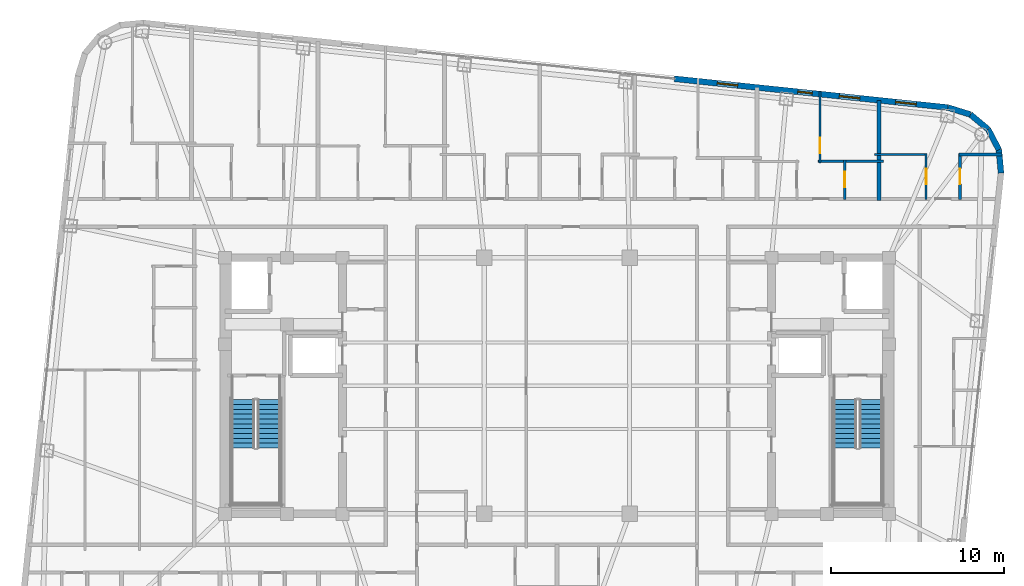
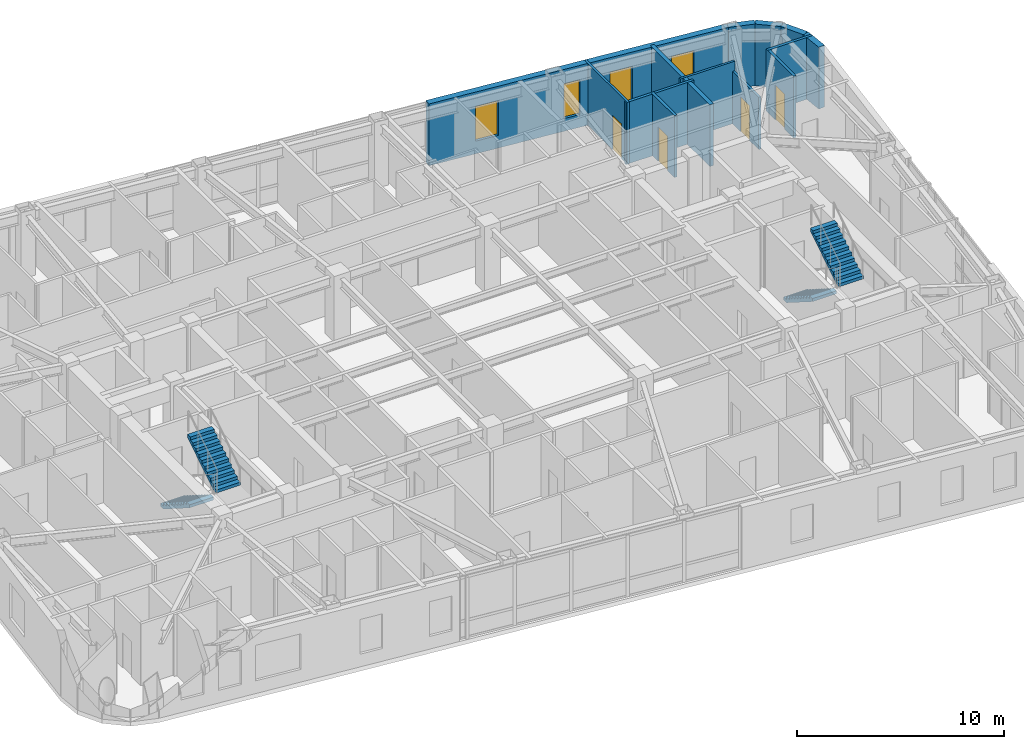
# One storey, part 21 of 23: 13 walls, 4 doors, 4 stair flights, 4 windows, 8 openings, 2 elements without a shape of their own.
"""IFC4 building model written with IfcOpenShell, lengths in metres."""

from ifc_helpers import new_model, si_unit, direction, frame, frame_2d, origin, place, context, subcontext, project, spatial, polyline, rectangle, outline, extrude, material, layer, layer_set, type_object, element, fill, aggregate, save


model = new_model("IFC4")

# Units and contexts
model_context = context("Model", 3, precision=1e-05, world=origin(), true_north=direction((0.0, 1.0)))
body_context = subcontext(model_context, "Body", "Model", "MODEL_VIEW")
ifc_project = project(units=[si_unit("LENGTHUNIT", "METRE"), si_unit("AREAUNIT", "SQUARE_METRE"), si_unit("VOLUMEUNIT", "CUBIC_METRE"), si_unit("PLANEANGLEUNIT", "RADIAN"), si_unit("MASSUNIT", "GRAM", prefix="KILO")], contexts=[model_context])

# Site, building, storey
site_placement = place(None, origin())
site = spatial("IfcSite", under=ifc_project, at=site_placement, CompositionType="ELEMENT")
building_placement = place(site_placement, origin())
building = spatial("IfcBuilding", under=site, at=building_placement, Name="Voryun Gate Residences", CompositionType="ELEMENT")
storey_placement = place(building_placement, frame((0.0, 0.0, 275.60009765625)))
storey = spatial("IfcBuildingStorey", under=building, at=storey_placement, Name="L68", CompositionType="ELEMENT", Elevation=275.60009765625)

# Wall, openings, windows
ifc_material_1 = material(Name="Charcoal terracotta masonry", Category="masonry")
ifc_layer_1 = layer(ifc_material_1, 0.340087890625, Name="W_EXT_TERRACOTTA_340")
ifc_layer_set_1 = layer_set([ifc_layer_1], Name="Charcoal terracotta masonry")
wall_type_1 = type_object("IfcWallType", Name="W_EXT_TERRACOTTA_340", PredefinedType="ELEMENTEDWALL", material=ifc_layer_set_1)
wall_1_placement = place(storey_placement, frame((6.7890625, 17.745849609375, 0.0), z_axis=(0.0, 0.0, 1.0), x_axis=(0.994521594531, -0.104531325504, 0.0)))
wall_1 = element("IfcWall", 1, at=wall_1_placement, inside=storey, type_object=wall_type_1, Name="Exterior wall WEXT-L68-11B", PredefinedType="ELEMENTEDWALL", context=body_context, shape_type="SweptSolid", body=[
    extrude(rectangle(XDim=15.900634765625, YDim=0.340087890625, at=frame_2d((7.9501953125, 0.0))), origin(), (0.0, 0.0, 1.0), 3.64990234375),
])
opening_1_placement = place(wall_1_placement, frame((2.484130859375, 0.0, 0.75)))
opening_1 = element("IfcOpeningElement", 2, at=opening_1_placement, cuts=wall_1, Name="Opening WN6", PredefinedType="OPENING", context=body_context, shape_type="SweptSolid", body=[
    extrude(rectangle(XDim=1.199951171875, YDim=2.050048828125, at=frame_2d((0.60009765625, 1.02490234375))), frame((0.0, 0.179931640625, 0.0), z_axis=(0.0, -1.0, 0.0), x_axis=(1.0, 0.0, 0.0)), (0.0, 0.0, 1.0), 0.360107421875),
])
opening_2_placement = place(wall_1_placement, frame((7.168212890625, 0.0, 0.75)))
opening_2 = element("IfcOpeningElement", 3, at=opening_2_placement, cuts=wall_1, Name="Opening WN9", PredefinedType="OPENING", context=body_context, shape_type="SweptSolid", body=[
    extrude(rectangle(XDim=0.85009765625, YDim=2.050048828125, at=frame_2d((0.425048828125, 1.02490234375))), frame((0.0, 0.179931640625, 0.0), z_axis=(0.0, -1.0, 0.0), x_axis=(1.0, 0.0, 0.0)), (0.0, 0.0, 1.0), 0.360107421875),
])
opening_3_placement = place(wall_1_placement, frame((9.58203125, 0.0, 0.75)))
opening_3 = element("IfcOpeningElement", 4, at=opening_3_placement, cuts=wall_1, Name="Opening WN6", PredefinedType="OPENING", context=body_context, shape_type="SweptSolid", body=[
    extrude(rectangle(XDim=1.199951171875, YDim=2.050048828125, at=frame_2d((0.60009765625, 1.02490234375))), frame((0.0, 0.179931640625, 0.0), z_axis=(0.0, -1.0, 0.0), x_axis=(1.0, 0.0, 0.0)), (0.0, 0.0, 1.0), 0.360107421875),
])
opening_4_placement = place(wall_1_placement, frame((12.852294921875, 0.0, 0.75)))
opening_4 = element("IfcOpeningElement", 5, at=opening_4_placement, cuts=wall_1, Name="Opening WN6", PredefinedType="OPENING", context=body_context, shape_type="SweptSolid", body=[
    extrude(rectangle(XDim=1.199951171875, YDim=2.050048828125, at=frame_2d((0.60009765625, 1.02490234375))), frame((0.0, 0.179931640625, 0.0), z_axis=(0.0, -1.0, 0.0), x_axis=(1.0, 0.0, 0.0)), (0.0, 0.0, 1.0), 0.360107421875),
])
ifc_material_2 = material(Name="Laminated low-E glass", Category="glass")
window_type_1 = type_object("IfcWindowType", Name="WN_POD_SLOT_1200", PartitioningType="SINGLE_PANEL", PredefinedType="WINDOW", material=ifc_material_2)
window_1_placement = place(opening_1_placement, origin())
window_1 = element("IfcWindow", 6, at=window_1_placement, inside=storey, type_object=window_type_1, Name="Window WN-L68-DWFIX-06", OverallHeight=2.050048828125, OverallWidth=1.199951171875, PartitioningType="SINGLE_PANEL", PredefinedType="WINDOW", context=body_context, shape_type="SweptSolid", body=[
    extrude(rectangle(XDim=1.199951171875, YDim=2.050048828125, at=frame_2d((0.60009765625, 1.02490234375))), frame((0.0, 0.030029296875, 0.0), z_axis=(0.0, -1.0, 0.0), x_axis=(1.0, 0.0, 0.0)), (0.0, 0.0, 1.0), 0.06005859375),
])
fill(opening_1, window_1)
window_2_placement = place(opening_3_placement, origin())
window_2 = element("IfcWindow", 7, at=window_2_placement, inside=storey, type_object=window_type_1, Name="Window WN-L68-DWFIX-08", OverallHeight=2.050048828125, OverallWidth=1.199951171875, PartitioningType="SINGLE_PANEL", PredefinedType="WINDOW", context=body_context, shape_type="SweptSolid", body=[
    extrude(rectangle(XDim=1.199951171875, YDim=2.050048828125, at=frame_2d((0.60009765625, 1.02490234375))), frame((0.0, 0.030029296875, 0.0), z_axis=(0.0, -1.0, 0.0), x_axis=(1.0, 0.0, 0.0)), (0.0, 0.0, 1.0), 0.06005859375),
])
fill(opening_3, window_2)
window_3_placement = place(opening_4_placement, origin())
window_3 = element("IfcWindow", 8, at=window_3_placement, inside=storey, type_object=window_type_1, Name="Window WN-L68-DWFIX-09", OverallHeight=2.050048828125, OverallWidth=1.199951171875, PartitioningType="SINGLE_PANEL", PredefinedType="WINDOW", context=body_context, shape_type="SweptSolid", body=[
    extrude(rectangle(XDim=1.199951171875, YDim=2.050048828125, at=frame_2d((0.60009765625, 1.02490234375))), frame((0.0, 0.030029296875, 0.0), z_axis=(0.0, -1.0, 0.0), x_axis=(1.0, 0.0, 0.0)), (0.0, 0.0, 1.0), 0.06005859375),
])
fill(opening_4, window_3)
ifc_material_3 = material(Name="Laminated low-E glass", Category="glass")
window_type_2 = type_object("IfcWindowType", Name="WN_RES_CASEMENT_850", PartitioningType="SINGLE_PANEL", PredefinedType="WINDOW", material=ifc_material_3)
window_4_placement = place(opening_2_placement, origin())
window_4 = element("IfcWindow", 9, at=window_4_placement, inside=storey, type_object=window_type_2, Name="Window WN-L68-DWFIX-07", OverallHeight=2.050048828125, OverallWidth=0.85009765625, PartitioningType="SINGLE_PANEL", PredefinedType="WINDOW", context=body_context, shape_type="SweptSolid", body=[
    extrude(rectangle(XDim=0.85009765625, YDim=2.050048828125, at=frame_2d((0.425048828125, 1.02490234375))), frame((0.0, 0.030029296875, 0.0), z_axis=(0.0, -1.0, 0.0), x_axis=(1.0, 0.0, 0.0)), (0.0, 0.0, 1.0), 0.06005859375),
])
fill(opening_2, window_4)

# Walls
wall_2_placement = place(storey_placement, frame((22.6025390625, 16.083740234375, 0.0), z_axis=(0.0, 0.0, 1.0), x_axis=(0.955007802701, -0.296580674994, 0.0)))
element("IfcWall", 10, at=wall_2_placement, inside=storey, type_object=wall_type_1, Name="Exterior wall WEXT-L68-12", PredefinedType="ELEMENTEDWALL", context=body_context, shape_type="SweptSolid", body=[
    extrude(rectangle(XDim=1.354248046875, YDim=0.340087890625, at=frame_2d((0.67724609375, 0.0))), origin(), (0.0, 0.0, 1.0), 3.64990234375),
])
for number, where, z_axis, x_axis, name in (
    (11, (23.895751953125, 15.68212890625, 0.0), (0.0, 0.0, 1.0), (0.768789762863, -0.639501603217, 0.0), "Exterior wall WEXT-L68-13"),
    (12, (24.923583984375, 14.8271484375, 0.0), (0.0, 0.0, 1.0), (0.46567116636, -0.884957832228, 0.0), "Exterior wall WEXT-L68-14"),
):
    element("IfcWall", number, at=place(storey_placement, frame(where, z_axis=z_axis, x_axis=x_axis)), inside=storey, type_object=wall_type_1, Name=name, PredefinedType="ELEMENTEDWALL", context=body_context, shape_type="SweptSolid", body=[
        extrude(rectangle(XDim=1.3369140625, YDim=0.340087890625, at=frame_2d((0.66845703125, 0.0))), origin(), (0.0, 0.0, 1.0), 3.64990234375),
    ])
wall_3_placement = place(storey_placement, frame((25.546142578125, 13.64404296875, 0.0), z_axis=(0.0, 0.0, 1.0), x_axis=(0.091592370975, -0.995796584438, 0.0)))
element("IfcWall", 13, at=wall_3_placement, inside=storey, type_object=wall_type_1, Name="Exterior wall WEXT-L68-15", PredefinedType="ELEMENTEDWALL", context=body_context, shape_type="SweptSolid", body=[
    extrude(rectangle(XDim=1.35400390625, YDim=0.340087890625, at=frame_2d((0.677001953125, 0.0))), origin(), (0.0, 0.0, 1.0), 3.64990234375),
])
ifc_material_4 = material(Name="Concrete C40/50", Category="concrete")
ifc_layer_2 = layer(ifc_material_4, 0.219970703125, Name="W_PARTY_ACOUSTIC_220")
ifc_layer_set_2 = layer_set([ifc_layer_2], Name="Concrete C40/50")
wall_type_2 = type_object("IfcWallType", Name="W_PARTY_ACOUSTIC_220", PredefinedType="PARTITIONING", material=ifc_layer_set_2)
wall_4_placement = place(storey_placement, frame((18.617919921875, 10.719970703125, 0.0), z_axis=(0.0, 0.0, 1.0), x_axis=(0.0, 1.0, 0.0)))
element("IfcWall", 14, at=wall_4_placement, inside=storey, type_object=wall_type_2, Name="Partition wall WP-L68-NPTY-7", PredefinedType="PARTITIONING", context=body_context, shape_type="SweptSolid", body=[
    extrude(rectangle(XDim=5.782470703125, YDim=0.219970703125, at=frame_2d((2.89111328125, 0.0))), origin(), (0.0, 0.0, 1.0), 3.64990234375),
])

# Wall, opening, door
ifc_material_5 = material(Name="Gypsum acoustic partition")
ifc_layer_3 = layer(ifc_material_5, 0.125, Name="W_UNIT_PART_125")
ifc_layer_set_3 = layer_set([ifc_layer_3], Name="Gypsum acoustic partition")
wall_type_3 = type_object("IfcWallType", Name="W_UNIT_PART_125", PredefinedType="PARTITIONING", material=ifc_layer_set_3)
wall_5_placement = place(storey_placement, frame((15.2080078125, 12.889892578125, 0.0), z_axis=(0.0, 0.0, 1.0), x_axis=(0.0, 1.0, 0.0)))
wall_5 = element("IfcWall", 15, at=wall_5_placement, inside=storey, type_object=wall_type_3, Name="Partition wall WP-L68-N7-OVR", PredefinedType="PARTITIONING", context=body_context, shape_type="SweptSolid", body=[
    extrude(rectangle(XDim=4.121826171875, YDim=0.125, at=frame_2d((2.06103515625, 0.0))), origin(), (0.0, 0.0, 1.0), 3.64990234375),
])
opening_5_placement = place(wall_5_placement, frame((0.539306640625, 0.0, 0.0)))
opening_5 = element("IfcOpeningElement", 16, at=opening_5_placement, cuts=wall_5, Name="Opening D-INT-2", PredefinedType="OPENING", context=body_context, shape_type="SweptSolid", body=[
    extrude(rectangle(XDim=0.89990234375, YDim=2.050048828125, at=frame_2d((0.449951171875, 1.02490234375))), frame((0.0, 0.072509765625, 0.0), z_axis=(0.0, -1.0, 0.0), x_axis=(1.0, 0.0, 0.0)), (0.0, 0.0, 1.0), 0.14501953125),
])
ifc_material_6 = material(Name="Architectural oak veneer")
door_type = type_object("IfcDoorType", Name="DR_INT_BATH_900", OperationType="NOTDEFINED", PredefinedType="DOOR", material=ifc_material_6)
door_1_placement = place(opening_5_placement, origin())
door_1 = element("IfcDoor", 17, at=door_1_placement, inside=storey, type_object=door_type, Name="Door DR-L68-N7-DMB", OperationType="SINGLE_SWING_RIGHT", OverallHeight=2.050048828125, OverallWidth=0.89990234375, PredefinedType="DOOR", context=body_context, shape_type="SweptSolid", body=[
    extrude(rectangle(XDim=0.89990234375, YDim=2.050048828125, at=frame_2d((0.449951171875, 1.02490234375))), frame((0.0, 0.02490234375, 0.0), z_axis=(0.0, -1.0, 0.0), x_axis=(1.0, 0.0, 0.0)), (0.0, 0.0, 1.0), 0.050048828125),
])
fill(opening_5, door_1)

wall_6_placement = place(storey_placement, frame((21.337890625, 10.780029296875, 0.0), z_axis=(0.0, 0.0, 1.0), x_axis=(0.0, 1.0, 0.0)))
wall_6 = element("IfcWall", 18, at=wall_6_placement, inside=storey, type_object=wall_type_3, Name="Partition wall WP-L68-N8-CVK", PredefinedType="PARTITIONING", context=body_context, shape_type="SweptSolid", body=[
    extrude(rectangle(XDim=2.64990234375, YDim=0.125, at=frame_2d((1.324951171875, 0.0))), origin(), (0.0, 0.0, 1.0), 3.08984375),
])
opening_6_placement = place(wall_6_placement, frame((0.875, 0.0, 0.0)))
opening_6 = element("IfcOpeningElement", 19, at=opening_6_placement, cuts=wall_6, Name="Opening D-INT-2", PredefinedType="OPENING", context=body_context, shape_type="SweptSolid", body=[
    extrude(rectangle(XDim=0.89990234375, YDim=2.050048828125, at=frame_2d((0.449951171875, 1.02490234375))), frame((0.0, 0.072509765625, 0.0), z_axis=(0.0, -1.0, 0.0), x_axis=(1.0, 0.0, 0.0)), (0.0, 0.0, 1.0), 0.14501953125),
])
door_2_placement = place(opening_6_placement, origin())
door_2 = element("IfcDoor", 20, at=door_2_placement, inside=storey, type_object=door_type, Name="Door DR-L68-N8-DK", OperationType="SINGLE_SWING_LEFT", OverallHeight=2.050048828125, OverallWidth=0.89990234375, PredefinedType="DOOR", context=body_context, shape_type="SweptSolid", body=[
    extrude(rectangle(XDim=0.89990234375, YDim=2.050048828125, at=frame_2d((0.449951171875, 1.02490234375))), frame((0.0, 0.02490234375, 0.0), z_axis=(0.0, -1.0, 0.0), x_axis=(1.0, 0.0, 0.0)), (0.0, 0.0, 1.0), 0.050048828125),
])
fill(opening_6, door_2)

# Walls
wall_7_placement = place(storey_placement, frame((18.35791015625, 13.3701171875, 0.0), z_axis=(0.0, 0.0, 1.0), x_axis=(1.0, 0.0, 0.0)))
element("IfcWall", 21, at=wall_7_placement, inside=storey, type_object=wall_type_3, Name="Partition wall WP-L68-N8-CHK", PredefinedType="PARTITIONING", context=body_context, shape_type="SweptSolid", body=[
    extrude(rectangle(XDim=3.0400390625, YDim=0.125, at=frame_2d((1.52001953125, 0.0))), origin(), (0.0, 0.0, 1.0), 3.64990234375),
])
ifc_material_7 = material(Name="Gypsum moisture-resistant partition")
ifc_layer_4 = layer(ifc_material_7, 0.14990234375, Name="W_WET_PLUMB_150")
ifc_layer_set_4 = layer_set([ifc_layer_4], Name="Gypsum moisture-resistant partition")
wall_type_4 = type_object("IfcWallType", Name="W_WET_PLUMB_150", PredefinedType="PLUMBINGWALL", material=ifc_layer_set_4)
wall_8_placement = place(storey_placement, frame((15.087890625, 12.969970703125, 0.0), z_axis=(0.0, 0.0, 1.0), x_axis=(1.0, 0.0, 0.0)))
element("IfcWall", 22, at=wall_8_placement, inside=storey, type_object=wall_type_4, Name="Partition wall WP-L68-N7-HZB", PredefinedType="PLUMBINGWALL", context=body_context, shape_type="SweptSolid", body=[
    extrude(rectangle(XDim=3.7900390625, YDim=0.14990234375, at=frame_2d((1.89501953125, 0.0))), origin(), (0.0, 0.0, 1.0), 3.64990234375),
])

# Wall, opening, door
wall_9_placement = place(storey_placement, frame((16.637939453125, 10.780029296875, 0.0), z_axis=(0.0, 0.0, 1.0), x_axis=(0.0, 1.0, 0.0)))
wall_9 = element("IfcWall", 23, at=wall_9_placement, inside=storey, type_object=wall_type_4, Name="Partition wall WP-L68-N7-IVB", PredefinedType="PLUMBINGWALL", context=body_context, shape_type="SweptSolid", body=[
    extrude(rectangle(XDim=2.27001953125, YDim=0.14990234375, at=frame_2d((1.135009765625, 0.0))), origin(), (0.0, 0.0, 1.0), 3.64990234375),
])
opening_7_placement = place(wall_9_placement, frame((0.68505859375, 0.0, 0.0)))
opening_7 = element("IfcOpeningElement", 24, at=opening_7_placement, cuts=wall_9, Name="Opening D-INT-2", PredefinedType="OPENING", context=body_context, shape_type="SweptSolid", body=[
    extrude(rectangle(XDim=0.89990234375, YDim=2.050048828125, at=frame_2d((0.449951171875, 1.02490234375))), frame((0.0, 0.0849609375, 0.0), z_axis=(0.0, -1.0, 0.0), x_axis=(1.0, 0.0, 0.0)), (0.0, 0.0, 1.0), 0.169921875),
])
door_3_placement = place(opening_7_placement, origin())
door_3 = element("IfcDoor", 25, at=door_3_placement, inside=storey, type_object=door_type, Name="Door DR-L68-N7-DB", OperationType="SINGLE_SWING_RIGHT", OverallHeight=2.050048828125, OverallWidth=0.89990234375, PredefinedType="DOOR", context=body_context, shape_type="SweptSolid", body=[
    extrude(rectangle(XDim=0.89990234375, YDim=2.050048828125, at=frame_2d((0.449951171875, 1.02490234375))), frame((0.0, 0.02490234375, 0.0), z_axis=(0.0, -1.0, 0.0), x_axis=(1.0, 0.0, 0.0)), (0.0, 0.0, 1.0), 0.050048828125),
])
fill(opening_7, door_3)

wall_10_placement = place(storey_placement, frame((23.297119140625, 10.780029296875, 0.0), z_axis=(0.0, 0.0, 1.0), x_axis=(0.0, 1.0, 0.0)))
wall_10 = element("IfcWall", 26, at=wall_10_placement, inside=storey, type_object=wall_type_4, Name="Partition wall WP-L68-N8-CVB", PredefinedType="PLUMBINGWALL", context=body_context, shape_type="SweptSolid", body=[
    extrude(rectangle(XDim=2.64990234375, YDim=0.14990234375, at=frame_2d((1.324951171875, 0.0))), origin(), (0.0, 0.0, 1.0), 3.64990234375),
])
opening_8_placement = place(wall_10_placement, frame((0.875, 0.0, 0.0)))
opening_8 = element("IfcOpeningElement", 27, at=opening_8_placement, cuts=wall_10, Name="Opening D-INT-2", PredefinedType="OPENING", context=body_context, shape_type="SweptSolid", body=[
    extrude(rectangle(XDim=0.89990234375, YDim=2.050048828125, at=frame_2d((0.449951171875, 1.02490234375))), frame((0.0, 0.0849609375, 0.0), z_axis=(0.0, -1.0, 0.0), x_axis=(1.0, 0.0, 0.0)), (0.0, 0.0, 1.0), 0.169921875),
])
door_4_placement = place(opening_8_placement, origin())
door_4 = element("IfcDoor", 28, at=door_4_placement, inside=storey, type_object=door_type, Name="Door DR-L68-N8-DB", OperationType="SINGLE_SWING_RIGHT", OverallHeight=2.050048828125, OverallWidth=0.89990234375, PredefinedType="DOOR", context=body_context, shape_type="SweptSolid", body=[
    extrude(rectangle(XDim=0.89990234375, YDim=2.050048828125, at=frame_2d((0.449951171875, 1.02490234375))), frame((0.0, 0.02490234375, 0.0), z_axis=(0.0, -1.0, 0.0), x_axis=(1.0, 0.0, 0.0)), (0.0, 0.0, 1.0), 0.050048828125),
])
fill(opening_8, door_4)

# Wall
wall_11_placement = place(storey_placement, frame((23.237060546875, 13.3701171875, 0.0), z_axis=(0.0, 0.0, 1.0), x_axis=(1.0, 0.0, 0.0)))
element("IfcWall", 29, at=wall_11_placement, inside=storey, type_object=wall_type_4, Name="Partition wall WP-L68-N8-CHB", PredefinedType="PLUMBINGWALL", context=body_context, shape_type="SweptSolid", body=[
    extrude(rectangle(XDim=2.48486328125, YDim=0.14990234375, at=frame_2d((1.242431640625, 0.0))), origin(), (0.0, 0.0, 1.0), 3.64990234375),
])

# Stair, stair flights
ifc_material_8 = material(Name="Concrete C40/50", Category="concrete")
stair_type = type_object("IfcStairType", Name="STR_CORE_DOGLEG_1350", PredefinedType="HALF_TURN_STAIR", material=ifc_material_8)
stair_1_placement = place(storey_placement, origin())
stair_1 = element("IfcStair", 30, at=stair_1_placement, inside=storey, type_object=stair_type, Name="L68 Special Escape Stair ST-W1", PredefinedType="HALF_TURN_STAIR")
ifc_material_9 = material(Name="Concrete C40/50", Category="concrete")
stair_flight_type = type_object("IfcStairFlightType", Name="FLT_CORE_1350", PredefinedType="STRAIGHT", material=ifc_material_9)
stair_flight_1_placement = place(storey_placement, frame((-18.14990234375, -0.800048828125, 0.0), z_axis=(0.0, 0.0, 1.0), x_axis=(0.0, -1.0, 0.0)))
stair_flight_1 = element("IfcStairFlight", 31, at=stair_flight_1_placement, type_object=stair_flight_type, Name="ST-W1 flight 1", NumberOfRisers=11, NumberOfTreads=10, PredefinedType="STRAIGHT", RiserHeight=0.177272727, TreadLength=0.28, context=body_context, shape_type="SweptSolid", body=[
    extrude(outline(polyline([(0.0, 0.0), (0.0, 0.17724609375), (0.280029296875, 0.17724609375), (0.280029296875, 0.3544921875), (0.56005859375, 0.3544921875), (0.56005859375, 0.53173828125), (0.840087890625, 0.53173828125), (0.840087890625, 0.708984375), (1.1201171875, 0.708984375), (1.1201171875, 0.886474609375), (1.39990234375, 0.886474609375), (1.39990234375, 1.063720703125), (1.679931640625, 1.063720703125), (1.679931640625, 1.240966796875), (1.9599609375, 1.240966796875), (1.9599609375, 1.418212890625), (2.239990234375, 1.418212890625), (2.239990234375, 1.595458984375), (2.52001953125, 1.595458984375), (2.52001953125, 1.772705078125), (2.800048828125, 1.772705078125), (2.800048828125, 1.949951171875), (2.800048828125, 1.59521484375), (0.2802734375, 0.0), (0.0, 0.0)])), frame((0.0, 0.675048828125, 0.0), z_axis=(0.0, -1.0, 0.0), x_axis=(1.0, 0.0, 0.0)), (0.0, 0.0, 1.0), 1.35009765625),
])
stair_flight_2_placement = place(storey_placement, frame((-16.64990234375, -3.60009765625, 1.949951171875), z_axis=(0.0, 0.0, 1.0), x_axis=(0.0, 1.0, 0.0)))
stair_flight_2 = element("IfcStairFlight", 32, at=stair_flight_2_placement, type_object=stair_flight_type, Name="ST-W1 flight 2", NumberOfRisers=11, NumberOfTreads=10, PredefinedType="STRAIGHT", RiserHeight=0.177272727, TreadLength=0.28, context=body_context, shape_type="SweptSolid", body=[
    extrude(outline(polyline([(0.0, 0.0), (0.0, 0.17724609375), (0.280029296875, 0.17724609375), (0.280029296875, 0.3544921875), (0.56005859375, 0.3544921875), (0.56005859375, 0.53173828125), (0.840087890625, 0.53173828125), (0.840087890625, 0.708984375), (1.1201171875, 0.708984375), (1.1201171875, 0.886474609375), (1.39990234375, 0.886474609375), (1.39990234375, 1.063720703125), (1.679931640625, 1.063720703125), (1.679931640625, 1.240966796875), (1.9599609375, 1.240966796875), (1.9599609375, 1.418212890625), (2.239990234375, 1.418212890625), (2.239990234375, 1.595458984375), (2.52001953125, 1.595458984375), (2.52001953125, 1.772705078125), (2.800048828125, 1.772705078125), (2.800048828125, 1.949951171875), (2.800048828125, 1.59521484375), (0.2802734375, 0.0), (0.0, 0.0)])), frame((0.0, 0.675048828125, 0.0), z_axis=(0.0, -1.0, 0.0), x_axis=(1.0, 0.0, 0.0)), (0.0, 0.0, 1.0), 1.35009765625),
])
aggregate(stair_1, [stair_flight_1, stair_flight_2])

stair_2_placement = place(storey_placement, origin())
stair_2 = element("IfcStair", 33, at=stair_2_placement, inside=storey, type_object=stair_type, Name="L68 Special Escape Stair ST-E1", PredefinedType="HALF_TURN_STAIR")
stair_flight_3_placement = place(storey_placement, frame((16.64990234375, -0.800048828125, 0.0), z_axis=(0.0, 0.0, 1.0), x_axis=(0.0, -1.0, 0.0)))
stair_flight_3 = element("IfcStairFlight", 34, at=stair_flight_3_placement, type_object=stair_flight_type, Name="ST-E1 flight 1", NumberOfRisers=11, NumberOfTreads=10, PredefinedType="STRAIGHT", RiserHeight=0.177272727, TreadLength=0.28, context=body_context, shape_type="SweptSolid", body=[
    extrude(outline(polyline([(0.0, 0.0), (0.0, 0.17724609375), (0.280029296875, 0.17724609375), (0.280029296875, 0.3544921875), (0.56005859375, 0.3544921875), (0.56005859375, 0.53173828125), (0.840087890625, 0.53173828125), (0.840087890625, 0.708984375), (1.1201171875, 0.708984375), (1.1201171875, 0.886474609375), (1.39990234375, 0.886474609375), (1.39990234375, 1.063720703125), (1.679931640625, 1.063720703125), (1.679931640625, 1.240966796875), (1.9599609375, 1.240966796875), (1.9599609375, 1.418212890625), (2.239990234375, 1.418212890625), (2.239990234375, 1.595458984375), (2.52001953125, 1.595458984375), (2.52001953125, 1.772705078125), (2.800048828125, 1.772705078125), (2.800048828125, 1.949951171875), (2.800048828125, 1.59521484375), (0.2802734375, 0.0), (0.0, 0.0)])), frame((0.0, 0.675048828125, 0.0), z_axis=(0.0, -1.0, 0.0), x_axis=(1.0, 0.0, 0.0)), (0.0, 0.0, 1.0), 1.35009765625),
])
stair_flight_4_placement = place(storey_placement, frame((18.14990234375, -3.60009765625, 1.949951171875), z_axis=(0.0, 0.0, 1.0), x_axis=(0.0, 1.0, 0.0)))
stair_flight_4 = element("IfcStairFlight", 35, at=stair_flight_4_placement, type_object=stair_flight_type, Name="ST-E1 flight 2", NumberOfRisers=11, NumberOfTreads=10, PredefinedType="STRAIGHT", RiserHeight=0.177272727, TreadLength=0.28, context=body_context, shape_type="SweptSolid", body=[
    extrude(outline(polyline([(0.0, 0.0), (0.0, 0.17724609375), (0.280029296875, 0.17724609375), (0.280029296875, 0.3544921875), (0.56005859375, 0.3544921875), (0.56005859375, 0.53173828125), (0.840087890625, 0.53173828125), (0.840087890625, 0.708984375), (1.1201171875, 0.708984375), (1.1201171875, 0.886474609375), (1.39990234375, 0.886474609375), (1.39990234375, 1.063720703125), (1.679931640625, 1.063720703125), (1.679931640625, 1.240966796875), (1.9599609375, 1.240966796875), (1.9599609375, 1.418212890625), (2.239990234375, 1.418212890625), (2.239990234375, 1.595458984375), (2.52001953125, 1.595458984375), (2.52001953125, 1.772705078125), (2.800048828125, 1.772705078125), (2.800048828125, 1.949951171875), (2.800048828125, 1.59521484375), (0.2802734375, 0.0), (0.0, 0.0)])), frame((0.0, 0.675048828125, 0.0), z_axis=(0.0, -1.0, 0.0), x_axis=(1.0, 0.0, 0.0)), (0.0, 0.0, 1.0), 1.35009765625),
])
aggregate(stair_2, [stair_flight_3, stair_flight_4])

save(model, "model.ifc")
